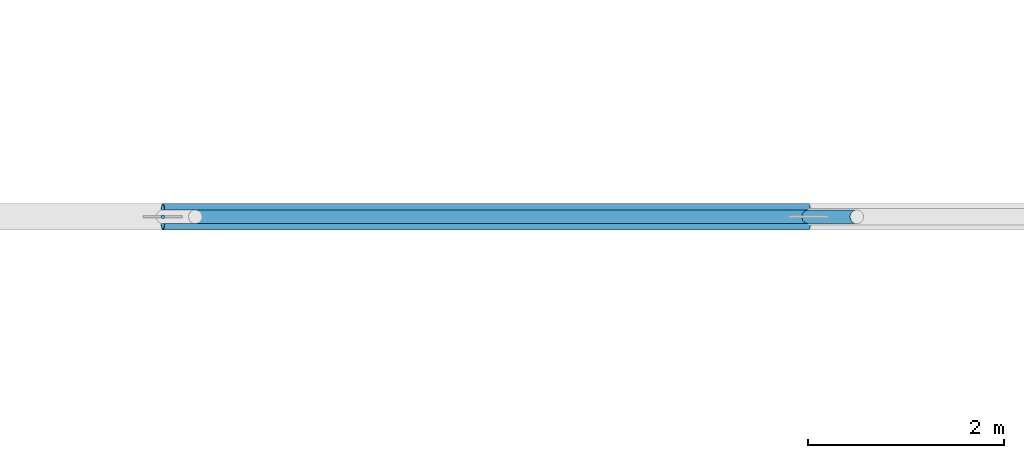
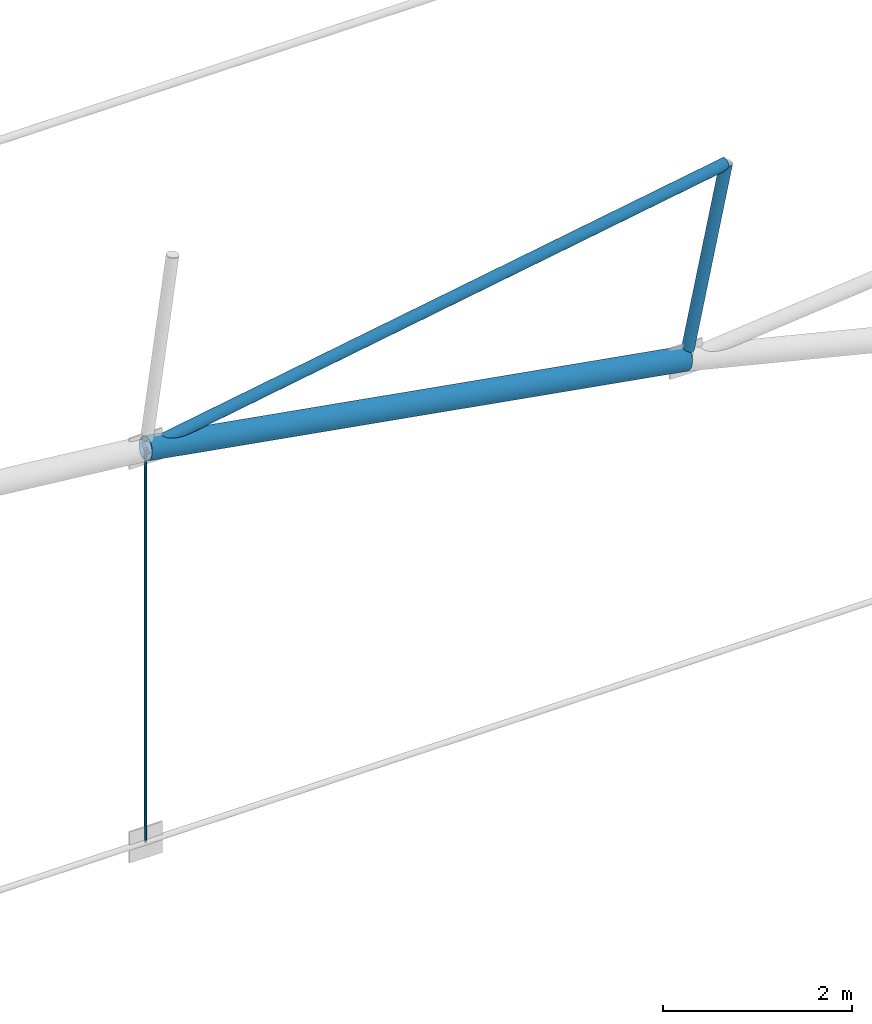
# One storey, part 188 of 321: 4 members.
"""IFC4 building model written with IfcOpenShell, lengths in metres."""

from ifc_helpers import new_model, si_unit, direction, frame, origin, origin_2d, place, context, subcontext, project, spatial, circle, hollow_circle, extrude, material, material_profile, profile_set, type_object, element, save


model = new_model("IFC4")

# Units and contexts
model_context = context("Model", 3, precision=1e-05, world=origin(), true_north=direction((0.0, 1.0)))
body_context = subcontext(model_context, "Body", "Model", "MODEL_VIEW")
ifc_project = project(units=[si_unit("LENGTHUNIT", "METRE"), si_unit("AREAUNIT", "SQUARE_METRE"), si_unit("VOLUMEUNIT", "CUBIC_METRE"), si_unit("PLANEANGLEUNIT", "RADIAN"), si_unit("MASSUNIT", "GRAM", prefix="KILO")], contexts=[model_context])

# Site, building, storey
site_placement = place(None, origin())
site = spatial("IfcSite", under=ifc_project, at=site_placement, CompositionType="ELEMENT")
building_placement = place(site_placement, origin())
building = spatial("IfcBuilding", under=site, at=building_placement, Name="Ravi Spectrum Wholesale Market", CompositionType="ELEMENT")
storey_placement = place(building_placement, frame((0.0, 0.0, 10.800048828125)))
storey = spatial("IfcBuildingStorey", under=building, at=storey_placement, Name="L02", CompositionType="ELEMENT", Elevation=10.800048828125)

# Members
ifc_material_1 = material(Name="Steel S355", Category="steel")
ifc_material_profile_1 = material_profile(ifc_material_1, hollow_circle(Radius=0.06982421875, WallThickness=0.0048828125, at=origin_2d()))
ifc_profile_set_1 = profile_set([ifc_material_profile_1], Name="Steel S355")
member_type_1 = type_object("IfcMemberType", Name="CHS 139.7x5 brace", PredefinedType="BRACE", material=ifc_profile_set_1)
member_1_placement = place(storey_placement, frame((90.44140625, 162.0, 6.30224609375), z_axis=(-0.985982518253, 0.0, -0.166848655074), x_axis=(0.0, -1.0, 0.0)))
element("IfcMember", 1, at=member_1_placement, inside=storey, type_object=member_type_1, Name="H1-MB-L02-964", PredefinedType="BRACE", context=body_context, shape_type="SweptSolid", body=[
    extrude(hollow_circle(Radius=0.06982421875, WallThickness=0.0048828125, at=origin_2d()), origin(), (0.0, 0.0, 1.0), 7.1904296875),
])
ifc_material_2 = material(Name="Steel S355", Category="steel")
ifc_material_profile_2 = material_profile(ifc_material_2, hollow_circle(Radius=0.06982421875, WallThickness=0.0048828125, at=origin_2d()))
ifc_profile_set_2 = profile_set([ifc_material_profile_2], Name="Steel S355")
member_type_2 = type_object("IfcMemberType", Name="CHS 139.7x5 post", PredefinedType="POST", material=ifc_profile_set_2)
member_2_placement = place(storey_placement, frame((90.44140625, 162.0, 6.30224609375), z_axis=(-0.20547728987, 0.0, -0.978661884078), x_axis=(0.0, -1.0, 0.0)))
element("IfcMember", 2, at=member_2_placement, inside=storey, type_object=member_type_2, Name="H1-MB-L02-954", PredefinedType="POST", context=body_context, shape_type="SweptSolid", body=[
    extrude(hollow_circle(Radius=0.06982421875, WallThickness=0.0048828125, at=origin_2d()), origin(), (0.0, 0.0, 1.0), 2.400146484375),
])
ifc_material_3 = material(Name="Steel S355", Category="steel")
ifc_material_profile_3 = material_profile(ifc_material_3, hollow_circle(Radius=0.136474609375, WallThickness=0.010009765625, at=origin_2d()))
ifc_profile_set_3 = profile_set([ifc_material_profile_3], Name="Steel S355")
member_type_3 = type_object("IfcMemberType", Name="CHS 273x10 chord", PredefinedType="CHORD", material=ifc_profile_set_3)
member_3_placement = place(storey_placement, frame((83.351806640625, 162.0, 5.1025390625), z_axis=(0.985162205886, 0.0, -0.171625837489), x_axis=(0.0, 1.0, 0.0)))
element("IfcMember", 3, at=member_3_placement, inside=storey, type_object=member_type_3, Name="H1-MB-L02-942", PredefinedType="CHORD", context=body_context, shape_type="SweptSolid", body=[
    extrude(hollow_circle(Radius=0.136474609375, WallThickness=0.010009765625, at=origin_2d()), origin(), (0.0, 0.0, 1.0), 6.69580078125),
])
ifc_material_4 = material(Name="Steel S355", Category="steel")
ifc_material_profile_4 = material_profile(ifc_material_4, circle(Radius=0.01806640625, at=origin_2d()))
ifc_profile_set_4 = profile_set([ifc_material_profile_4], Name="Steel S355")
member_type_4 = type_object("IfcMemberType", Name="ROD 36 hanger", PredefinedType="STRUT", material=ifc_profile_set_4)
member_4_placement = place(storey_placement, frame((83.351806640625, 162.0, 0.023193359375), z_axis=(0.0, 0.0, 1.0), x_axis=(1.0, 0.0, 0.0)))
element("IfcMember", 4, at=member_4_placement, inside=storey, type_object=member_type_4, Name="H1-MB-L02-971", PredefinedType="STRUT", context=body_context, shape_type="SweptSolid", body=[
    extrude(circle(Radius=0.01806640625, at=origin_2d()), origin(), (0.0, 0.0, 1.0), 5.079345703125),
])

save(model, "model.ifc")
